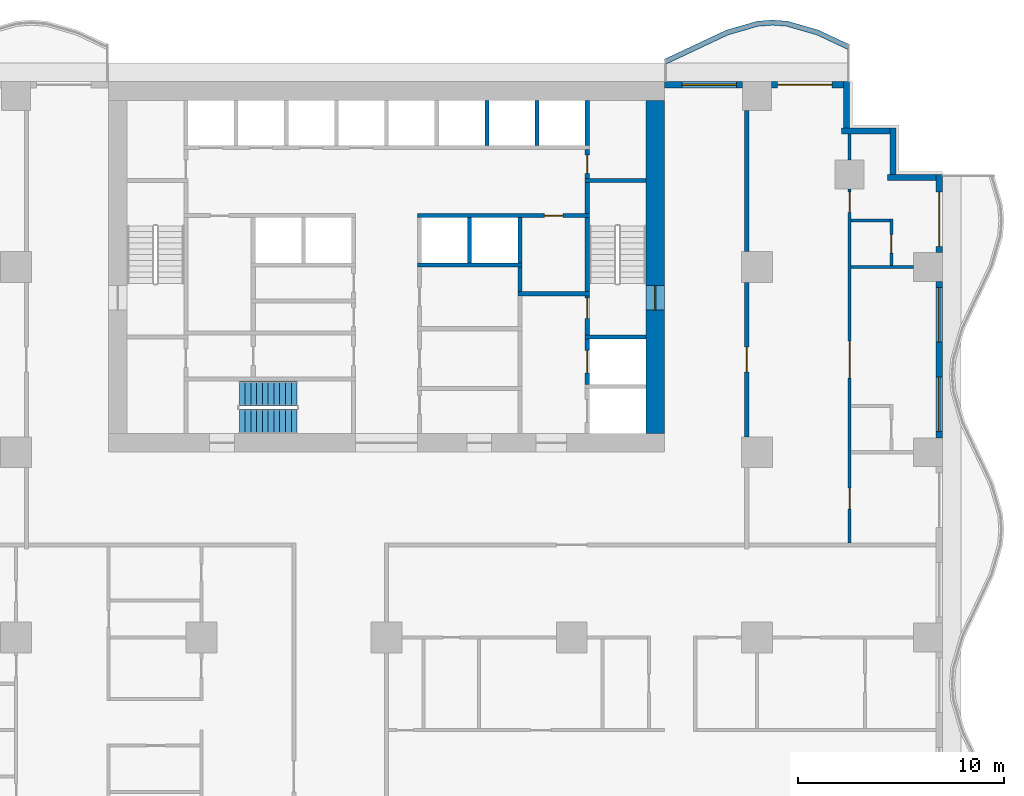
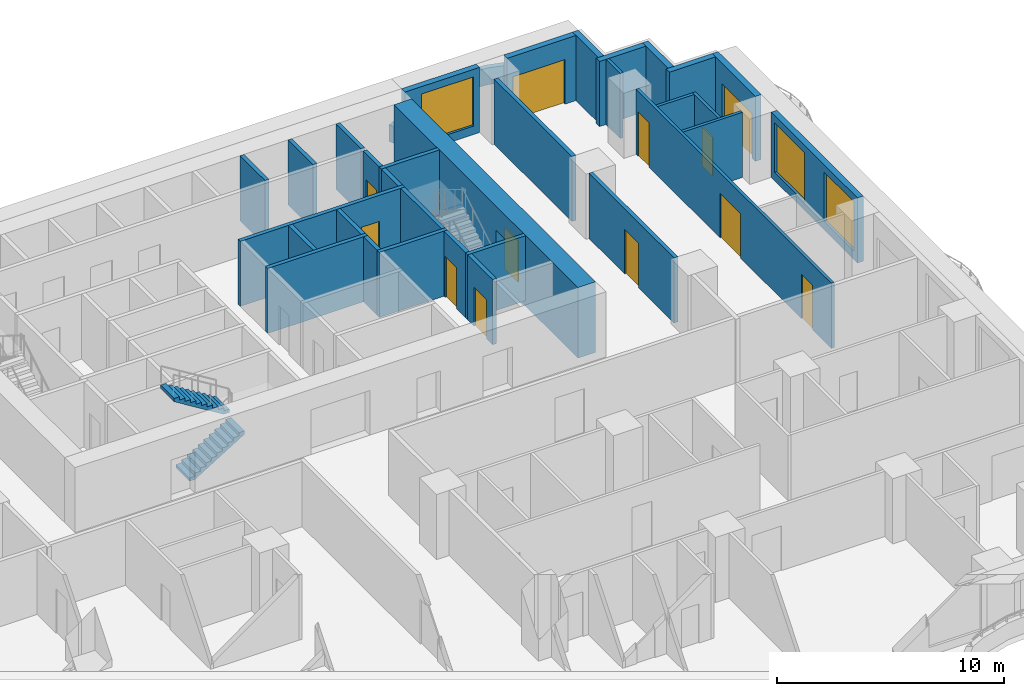
# One storey, part 6 of 14: 33 walls, 12 doors, 3 windows, 2 stair flights, 15 openings, 1 element without a shape of its own.
"""IFC4 building model written with IfcOpenShell, lengths in metres."""

from ifc_helpers import new_model, si_unit, direction, frame, frame_2d, origin, place, context, subcontext, project, spatial, polyline, rectangle, outline, extrude, material, layer, layer_set, type_object, element, fill, aggregate, save


model = new_model("IFC4")

# Units and contexts
model_context = context("Model", 3, precision=1e-05, world=origin(), true_north=direction((0.0, 1.0)))
body_context = subcontext(model_context, "Body", "Model", "MODEL_VIEW")
ifc_project = project(units=[si_unit("LENGTHUNIT", "METRE"), si_unit("AREAUNIT", "SQUARE_METRE"), si_unit("VOLUMEUNIT", "CUBIC_METRE"), si_unit("PLANEANGLEUNIT", "RADIAN"), si_unit("MASSUNIT", "GRAM", prefix="KILO")], contexts=[model_context])

# Site, building, storey
site_placement = place(None, origin())
site = spatial("IfcSite", under=ifc_project, at=site_placement, CompositionType="ELEMENT")
building_placement = place(site_placement, origin())
building = spatial("IfcBuilding", under=site, at=building_placement, Name="Orbiselva Terraces", CompositionType="ELEMENT")
storey_placement = place(building_placement, frame((0.0, 0.0, 45.4)))
storey = spatial("IfcBuildingStorey", under=building, at=storey_placement, Name="L11", CompositionType="ELEMENT", Elevation=45.4)

# Wall, opening, door
ifc_material_1 = material(Name="Concrete C80/95", Category="concrete")
ifc_layer_1 = layer(ifc_material_1, 0.9)
ifc_layer_set_1 = layer_set([ifc_layer_1], Name="Concrete C80/95")
wall_type_1 = type_object("IfcWallType", Name="CORE WALL 900", PredefinedType="SHEAR", material=ifc_layer_set_1)
wall_1_placement = place(storey_placement, frame((13.05, 5.4, -0.3), z_axis=(0.0, 0.0, 1.0), x_axis=(0.0, 1.0, 0.0)))
wall_1 = element("IfcWall", 1, at=wall_1_placement, inside=storey, type_object=wall_type_1, Name="Core wall L11 east", PredefinedType="SHEAR", context=body_context, shape_type="SweptSolid", body=[
    extrude(rectangle(XDim=16.2, YDim=0.9, at=frame_2d((8.1, 0.0))), origin(), (0.0, 0.0, 1.0), 3.8),
])
opening_1_placement = place(wall_1_placement, frame((6.0, 0.0, 0.3)))
opening_1 = element("IfcOpeningElement", 2, at=opening_1_placement, cuts=wall_1, Name="Opening DS1200", PredefinedType="OPENING", context=body_context, shape_type="SweptSolid", body=[
    extrude(rectangle(XDim=1.2, YDim=2.2, at=frame_2d((0.6, 1.1))), frame((0.0, 0.46, 0.0), z_axis=(0.0, -1.0, 0.0), x_axis=(1.0, 0.0, 0.0)), (0.0, 0.0, 1.0), 0.92),
])
ifc_material_2 = material(Name="Steel fire door", Category="steel")
door_type_1 = type_object("IfcDoorType", Name="STAIR DOOR 1200", OperationType="NOTDEFINED", PredefinedType="DOOR", material=ifc_material_2)
door_1_placement = place(opening_1_placement, frame((1.2, 0.0, 0.0), z_axis=(0.0, 0.0, 1.0), x_axis=(-1.0, 0.0, 0.0)))
door_1 = element("IfcDoor", 3, at=door_1_placement, inside=storey, type_object=door_type_1, Name="L11 EXIT STAIR S2 door", OperationType="SINGLE_SWING_LEFT", OverallHeight=2.2, OverallWidth=1.2, PredefinedType="DOOR", context=body_context, shape_type="SweptSolid", body=[
    extrude(rectangle(XDim=1.2, YDim=2.2, at=frame_2d((0.6, 1.1))), frame((0.0, 0.025, 0.0), z_axis=(0.0, -1.0, 0.0), x_axis=(1.0, 0.0, 0.0)), (0.0, 0.0, 1.0), 0.05),
])
fill(opening_1, door_1)

# Wall
ifc_material_3 = material(Name="Masonry blockwork", Category="masonry")
ifc_layer_2 = layer(ifc_material_3, 0.2)
ifc_layer_set_2 = layer_set([ifc_layer_2], Name="Masonry blockwork")
wall_type_2 = type_object("IfcWallType", Name="CORE-WALL-PARTITION-200", PredefinedType="PARTITIONING", material=ifc_layer_set_2)
wall_2_placement = place(storey_placement, frame((6.475, 12.3, 0.0), z_axis=(0.0, 0.0, 1.0), x_axis=(0.0, 1.0, 0.0)))
element("IfcWall", 4, at=wall_2_placement, inside=storey, type_object=wall_type_2, Name="L11 core wall 44", PredefinedType="PARTITIONING", context=body_context, shape_type="SweptSolid", body=[
    extrude(rectangle(XDim=1.2, YDim=0.2, at=frame_2d((0.6, 0.0))), origin(), (0.0, 0.0, 1.0), 3.5),
])

# Wall, opening, door
wall_3_placement = place(storey_placement, frame((9.75, 19.2, 0.0), z_axis=(0.0, 0.0, 1.0), x_axis=(0.0, -1.0, 0.0)))
wall_3 = element("IfcWall", 5, at=wall_3_placement, inside=storey, type_object=wall_type_2, Name="L11 core wall 55", PredefinedType="PARTITIONING", context=body_context, shape_type="SweptSolid", body=[
    extrude(rectangle(XDim=1.4, YDim=0.2, at=frame_2d((0.7, 0.0))), origin(), (0.0, 0.0, 1.0), 3.5),
])
opening_2_placement = place(wall_3_placement, frame((0.25, 0.0, 0.0)))
opening_2 = element("IfcOpeningElement", 6, at=opening_2_placement, cuts=wall_3, Name="Opening DR900", PredefinedType="OPENING", context=body_context, shape_type="SweptSolid", body=[
    extrude(rectangle(XDim=0.9, YDim=2.1, at=frame_2d((0.45, 1.05))), frame((0.0, 0.11, 0.0), z_axis=(0.0, -1.0, 0.0), x_axis=(1.0, 0.0, 0.0)), (0.0, 0.0, 1.0), 0.22),
])
door_type_2 = type_object("IfcDoorType", Name="ROOM DOOR 900", OperationType="NOTDEFINED", PredefinedType="DOOR", material=ifc_material_2)
door_2_placement = place(opening_2_placement, origin())
door_2 = element("IfcDoor", 7, at=door_2_placement, inside=storey, type_object=door_type_2, Name="L11 ELECTRICAL RISER ROOM door", OperationType="SINGLE_SWING_RIGHT", OverallHeight=2.1, OverallWidth=0.9, PredefinedType="DOOR", context=body_context, shape_type="SweptSolid", body=[
    extrude(rectangle(XDim=0.9, YDim=2.1, at=frame_2d((0.45, 1.05))), frame((0.0, 0.025, 0.0), z_axis=(0.0, -1.0, 0.0), x_axis=(1.0, 0.0, 0.0)), (0.0, 0.0, 1.0), 0.05),
])
fill(opening_2, door_2)

# Walls
ifc_material_4 = material(Name="Concrete C40/50", Category="concrete")
ifc_layer_3 = layer(ifc_material_4, 0.2)
ifc_layer_set_3 = layer_set([ifc_layer_3], Name="Concrete C40/50")
wall_type_3 = type_object("IfcWallType", Name="CORE-WALL-SHAFT-200", PredefinedType="PARTITIONING", material=ifc_layer_set_3)
for number, where, z_axis, x_axis, name in (
    (8, (4.0375, 13.7, 0.0), (0.0, 0.0, 1.0), (0.0, 1.0, 0.0), "L11 core wall 38"),
    (9, (4.875, 19.4, 0.0), (0.0, 0.0, 1.0), (0.0, 1.0, 0.0), "L11 core wall 39"),
    (10, (6.475, 13.7, 0.0), (0.0, 0.0, 1.0), (0.0, 1.0, 0.0), "L11 core wall 45"),
    (11, (7.3125, 19.4, 0.0), (0.0, 0.0, 1.0), (0.0, 1.0, 0.0), "L11 core wall 46"),
    (12, (9.75, 19.4, 0.0), (0.0, 0.0, 1.0), (0.0, 1.0, 0.0), "L11 core wall 56"),
):
    element("IfcWall", number, at=place(storey_placement, frame(where, z_axis=z_axis, x_axis=x_axis)), inside=storey, type_object=wall_type_3, Name=name, PredefinedType="PARTITIONING", context=body_context, shape_type="SweptSolid", body=[
        extrude(rectangle(XDim=2.2, YDim=0.2, at=frame_2d((1.1, 0.0))), origin(), (0.0, 0.0, 1.0), 3.5),
    ])
ifc_material_5 = material(Name="Concrete C60/75", Category="concrete")
ifc_layer_4 = layer(ifc_material_5, 0.2)
ifc_layer_set_4 = layer_set([ifc_layer_4], Name="Concrete C60/75")
wall_type_4 = type_object("IfcWallType", Name="CORE-WALL-SHEAR-200", PredefinedType="SHEAR", material=ifc_layer_set_4)
wall_4_placement = place(storey_placement, frame((1.5, 13.6, 0.0), z_axis=(0.0, 0.0, 1.0), x_axis=(1.0, 0.0, 0.0)))
element("IfcWall", 13, at=wall_4_placement, inside=storey, type_object=wall_type_4, Name="L11 core wall 34", PredefinedType="SHEAR", context=body_context, shape_type="SweptSolid", body=[
    extrude(rectangle(XDim=5.075, YDim=0.2, at=frame_2d((2.5375, 0.0))), origin(), (0.0, 0.0, 1.0), 3.5),
])

# Wall, opening, door
wall_5_placement = place(storey_placement, frame((9.85, 16.0, 0.0), z_axis=(0.0, 0.0, 1.0), x_axis=(-1.0, 0.0, 0.0)))
wall_5 = element("IfcWall", 14, at=wall_5_placement, inside=storey, type_object=wall_type_4, Name="L11 core wall 36", PredefinedType="SHEAR", context=body_context, shape_type="SweptSolid", body=[
    extrude(rectangle(XDim=8.35, YDim=0.2, at=frame_2d((4.175, 0.0))), origin(), (0.0, 0.0, 1.0), 3.5),
])
opening_3_placement = place(wall_5_placement, frame((1.2875, 0.0, 0.0)))
opening_3 = element("IfcOpeningElement", 15, at=opening_3_placement, cuts=wall_5, Name="Opening DR900", PredefinedType="OPENING", context=body_context, shape_type="SweptSolid", body=[
    extrude(rectangle(XDim=0.9, YDim=2.1, at=frame_2d((0.45, 1.05))), frame((0.0, 0.11, 0.0), z_axis=(0.0, -1.0, 0.0), x_axis=(1.0, 0.0, 0.0)), (0.0, 0.0, 1.0), 0.22),
])
door_3_placement = place(opening_3_placement, origin())
door_3 = element("IfcDoor", 16, at=door_3_placement, inside=storey, type_object=door_type_2, Name="L11 PIPE RISER ROOM door", OperationType="SINGLE_SWING_LEFT", OverallHeight=2.1, OverallWidth=0.9, PredefinedType="DOOR", context=body_context, shape_type="SweptSolid", body=[
    extrude(rectangle(XDim=0.9, YDim=2.1, at=frame_2d((0.45, 1.05))), frame((0.0, 0.025, 0.0), z_axis=(0.0, -1.0, 0.0), x_axis=(1.0, 0.0, 0.0)), (0.0, 0.0, 1.0), 0.05),
])
fill(opening_3, door_3)

# Wall
wall_6_placement = place(storey_placement, frame((6.375, 12.2, 0.0), z_axis=(0.0, 0.0, 1.0), x_axis=(1.0, 0.0, 0.0)))
element("IfcWall", 17, at=wall_6_placement, inside=storey, type_object=wall_type_4, Name="L11 core wall 43", PredefinedType="SHEAR", context=body_context, shape_type="SweptSolid", body=[
    extrude(rectangle(XDim=3.475, YDim=0.2, at=frame_2d((1.7375, 0.0))), origin(), (0.0, 0.0, 1.0), 3.5),
])

# Wall, opening, door
wall_7_placement = place(storey_placement, frame((9.75, 7.8, 0.0), z_axis=(0.0, 0.0, 1.0), x_axis=(0.0, 1.0, 0.0)))
wall_7 = element("IfcWall", 18, at=wall_7_placement, inside=storey, type_object=wall_type_4, Name="L11 core wall 49", PredefinedType="SHEAR", context=body_context, shape_type="SweptSolid", body=[
    extrude(rectangle(XDim=2.2, YDim=0.2, at=frame_2d((1.1, 0.0))), origin(), (0.0, 0.0, 1.0), 3.5),
])
opening_4_placement = place(wall_7_placement, frame((0.55, 0.0, 0.0)))
opening_4 = element("IfcOpeningElement", 19, at=opening_4_placement, cuts=wall_7, Name="Opening LD-FF2", PredefinedType="OPENING", context=body_context, shape_type="SweptSolid", body=[
    extrude(rectangle(XDim=1.1, YDim=2.1, at=frame_2d((0.55, 1.05))), frame((0.0, 0.11, 0.0), z_axis=(0.0, -1.0, 0.0), x_axis=(1.0, 0.0, 0.0)), (0.0, 0.0, 1.0), 0.22),
])
ifc_material_6 = material(Name="Stainless steel landing door", Category="steel")
door_type_3 = type_object("IfcDoorType", Name="LANDING DOOR 1100", OperationType="SLIDING_TO_LEFT", PredefinedType="DOOR", material=ifc_material_6)
door_4_placement = place(opening_4_placement, origin())
door_4 = element("IfcDoor", 20, at=door_4_placement, inside=storey, type_object=door_type_3, Name="L11 landing door FF2", OperationType="SLIDING_TO_RIGHT", OverallHeight=2.1, OverallWidth=1.1, PredefinedType="DOOR", context=body_context, shape_type="SweptSolid", body=[
    extrude(rectangle(XDim=1.1, YDim=2.1, at=frame_2d((0.55, 1.05))), frame((0.0, 0.025, 0.0), z_axis=(0.0, -1.0, 0.0), x_axis=(1.0, 0.0, 0.0)), (0.0, 0.0, 1.0), 0.05),
])
fill(opening_4, door_4)

# Wall
wall_8_placement = place(storey_placement, frame((9.65, 10.1, 0.0), z_axis=(0.0, 0.0, 1.0), x_axis=(1.0, 0.0, 0.0)))
element("IfcWall", 21, at=wall_8_placement, inside=storey, type_object=wall_type_4, Name="L11 core wall 50", PredefinedType="SHEAR", context=body_context, shape_type="SweptSolid", body=[
    extrude(rectangle(XDim=2.95, YDim=0.2, at=frame_2d((1.475, 0.0))), origin(), (0.0, 0.0, 1.0), 3.5),
])

# Wall, opening, door
wall_9_placement = place(storey_placement, frame((9.75, 12.1, 0.0), z_axis=(0.0, 0.0, 1.0), x_axis=(0.0, -1.0, 0.0)))
wall_9 = element("IfcWall", 22, at=wall_9_placement, inside=storey, type_object=wall_type_4, Name="L11 core wall 51", PredefinedType="SHEAR", context=body_context, shape_type="SweptSolid", body=[
    extrude(rectangle(XDim=1.9, YDim=0.2, at=frame_2d((0.95, 0.0))), origin(), (0.0, 0.0, 1.0), 3.5),
])
opening_5_placement = place(wall_9_placement, frame((0.1, 0.0, 0.0)))
opening_5 = element("IfcOpeningElement", 23, at=opening_5_placement, cuts=wall_9, Name="Opening DS1000", PredefinedType="OPENING", context=body_context, shape_type="SweptSolid", body=[
    extrude(rectangle(XDim=1.0, YDim=2.2, at=frame_2d((0.5, 1.1))), frame((0.0, 0.11, 0.0), z_axis=(0.0, -1.0, 0.0), x_axis=(1.0, 0.0, 0.0)), (0.0, 0.0, 1.0), 0.22),
])
door_type_4 = type_object("IfcDoorType", Name="STAIR DOOR 1000", OperationType="NOTDEFINED", PredefinedType="DOOR", material=ifc_material_2)
door_5_placement = place(opening_5_placement, origin())
door_5 = element("IfcDoor", 24, at=door_5_placement, inside=storey, type_object=door_type_4, Name="L11 FIRE-FIGHTING LOBBY TO EXIT STAIR S2 door", OperationType="SINGLE_SWING_LEFT", OverallHeight=2.2, OverallWidth=1.0, PredefinedType="DOOR", context=body_context, shape_type="SweptSolid", body=[
    extrude(rectangle(XDim=1.0, YDim=2.2, at=frame_2d((0.5, 1.1))), frame((0.0, 0.025, 0.0), z_axis=(0.0, -1.0, 0.0), x_axis=(1.0, 0.0, 0.0)), (0.0, 0.0, 1.0), 0.05),
])
fill(opening_5, door_5)

# Walls
wall_10_placement = place(storey_placement, frame((9.75, 12.3, 0.0), z_axis=(0.0, 0.0, 1.0), x_axis=(0.0, 1.0, 0.0)))
element("IfcWall", 25, at=wall_10_placement, inside=storey, type_object=wall_type_4, Name="L11 core wall 52", PredefinedType="SHEAR", context=body_context, shape_type="SweptSolid", body=[
    extrude(rectangle(XDim=3.6, YDim=0.2, at=frame_2d((1.8, 0.0))), origin(), (0.0, 0.0, 1.0), 3.5),
])
wall_11_placement = place(storey_placement, frame((9.75, 16.1, 0.0), z_axis=(0.0, 0.0, 1.0), x_axis=(0.0, 1.0, 0.0)))
element("IfcWall", 26, at=wall_11_placement, inside=storey, type_object=wall_type_4, Name="L11 core wall 53", PredefinedType="SHEAR", context=body_context, shape_type="SweptSolid", body=[
    extrude(rectangle(XDim=1.5, YDim=0.2, at=frame_2d((0.75, 0.0))), origin(), (0.0, 0.0, 1.0), 3.5),
])
wall_12_placement = place(storey_placement, frame((9.65, 17.7, 0.0), z_axis=(0.0, 0.0, 1.0), x_axis=(1.0, 0.0, 0.0)))
element("IfcWall", 27, at=wall_12_placement, inside=storey, type_object=wall_type_4, Name="L11 core wall 54", PredefinedType="SHEAR", context=body_context, shape_type="SweptSolid", body=[
    extrude(rectangle(XDim=2.95, YDim=0.2, at=frame_2d((1.475, 0.0))), origin(), (0.0, 0.0, 1.0), 3.5),
])
ifc_layer_5 = layer(ifc_material_4, 0.25)
ifc_layer_set_5 = layer_set([ifc_layer_5], Name="Concrete C40/50")
wall_type_5 = type_object("IfcWallType", Name="ENV-PLANTER-250x900", PredefinedType="USERDEFINED", material=ifc_layer_set_5)
wall_13_placement = place(storey_placement, origin())
element("IfcWall", 28, at=wall_13_placement, inside=storey, type_object=wall_type_5, Name="Balcony planter L11 NE", ObjectType="PLANTER", PredefinedType="USERDEFINED", context=body_context, shape_type="SweptSolid", body=[
    extrude(outline(polyline([(22.5, 24.3), (21.0, 25.005342), (19.5, 25.441268), (18.75, 25.5), (18.0, 25.441268), (16.5, 25.005342), (15.0, 24.3), (13.5, 23.594658), (13.606383, 23.368422), (15.106383, 24.073764), (16.588618, 24.770753), (18.045114, 25.194035), (18.75, 25.249235), (19.454886, 25.194035), (20.911382, 24.770753), (22.393617, 24.073764), (22.5, 24.3)])), origin(), (0.0, 0.0, 1.0), 0.9),
])

# Wall, openings, windows
ifc_material_7 = material(Name="Terracotta cladding on masonry backing", Category="masonry")
ifc_layer_6 = layer(ifc_material_7, 0.3)
ifc_layer_set_6 = layer_set([ifc_layer_6], Name="Terracotta cladding on masonry backing")
wall_type_6 = type_object("IfcWallType", Name="ENV-WALL-TERRACOTTA-300", PredefinedType="SOLIDWALL", material=ifc_layer_set_6)
wall_14_placement = place(storey_placement, frame((26.85, 12.8, 0.0), z_axis=(0.0, 0.0, 1.0), x_axis=(0.0, -1.0, 0.0)))
wall_14 = element("IfcWall", 29, at=wall_14_placement, inside=storey, type_object=wall_type_6, Name="Facade wall L11 E", PredefinedType="SOLIDWALL", context=body_context, shape_type="SweptSolid", body=[
    extrude(rectangle(XDim=7.6, YDim=0.3, at=frame_2d((3.8, 0.0))), origin(), (0.0, 0.0, 1.0), 3.5),
])
opening_6_placement = place(wall_14_placement, frame((4.65, 0.0, 0.45)))
opening_6 = element("IfcOpeningElement", 30, at=opening_6_placement, cuts=wall_14, Name="Opening WN3", PredefinedType="OPENING", context=body_context, shape_type="SweptSolid", body=[
    extrude(rectangle(XDim=2.65, YDim=2.65, at=frame_2d((1.325, 1.325))), frame((0.0, 0.16, 0.0), z_axis=(0.0, -1.0, 0.0), x_axis=(1.0, 0.0, 0.0)), (0.0, 0.0, 1.0), 0.32),
])
opening_7_placement = place(wall_14_placement, frame((0.3, 0.0, 0.45)))
opening_7 = element("IfcOpeningElement", 31, at=opening_7_placement, cuts=wall_14, Name="Opening WN3", PredefinedType="OPENING", context=body_context, shape_type="SweptSolid", body=[
    extrude(rectangle(XDim=2.65, YDim=2.65, at=frame_2d((1.325, 1.325))), frame((0.0, 0.16, 0.0), z_axis=(0.0, -1.0, 0.0), x_axis=(1.0, 0.0, 0.0)), (0.0, 0.0, 1.0), 0.32),
])
ifc_material_8 = material(Name="Clear low-e glazing in aluminium frame", Category="aluminium")
window_type = type_object("IfcWindowType", Name="WINDOW 2650 X 2650 S450", PartitioningType="TRIPLE_PANEL_VERTICAL", PredefinedType="WINDOW", material=ifc_material_8)
window_1_placement = place(opening_6_placement, origin())
window_1 = element("IfcWindow", 32, at=window_1_placement, inside=storey, type_object=window_type, Name="Window L11 E", OverallHeight=2.65, OverallWidth=2.65, PartitioningType="SINGLE_PANEL", PredefinedType="WINDOW", context=body_context, shape_type="SweptSolid", body=[
    extrude(rectangle(XDim=2.65, YDim=2.65, at=frame_2d((1.325, 1.325))), frame((0.0, 0.03, 0.0), z_axis=(0.0, -1.0, 0.0), x_axis=(1.0, 0.0, 0.0)), (0.0, 0.0, 1.0), 0.06),
])
fill(opening_6, window_1)
window_2_placement = place(opening_7_placement, origin())
window_2 = element("IfcWindow", 33, at=window_2_placement, inside=storey, type_object=window_type, Name="Window L11 E", OverallHeight=2.65, OverallWidth=2.65, PartitioningType="SINGLE_PANEL", PredefinedType="WINDOW", context=body_context, shape_type="SweptSolid", body=[
    extrude(rectangle(XDim=2.65, YDim=2.65, at=frame_2d((1.325, 1.325))), frame((0.0, 0.03, 0.0), z_axis=(0.0, -1.0, 0.0), x_axis=(1.0, 0.0, 0.0)), (0.0, 0.0, 1.0), 0.06),
])
fill(opening_7, window_2)

# Wall, opening, door
wall_15_placement = place(storey_placement, frame((26.85, 18.0, 0.0), z_axis=(0.0, 0.0, 1.0), x_axis=(0.0, -1.0, 0.0)))
wall_15 = element("IfcWall", 34, at=wall_15_placement, inside=storey, type_object=wall_type_6, Name="Facade wall L11 E", PredefinedType="SOLIDWALL", context=body_context, shape_type="SweptSolid", body=[
    extrude(rectangle(XDim=3.8, YDim=0.3, at=frame_2d((1.9, 0.0))), origin(), (0.0, 0.0, 1.0), 3.5),
])
opening_8_placement = place(wall_15_placement, frame((0.85, 0.0, 0.0)))
opening_8 = element("IfcOpeningElement", 35, at=opening_8_placement, cuts=wall_15, Name="Opening Z1-C-E19", PredefinedType="OPENING", context=body_context, shape_type="SweptSolid", body=[
    extrude(rectangle(XDim=2.65, YDim=2.4, at=frame_2d((1.325, 1.2))), frame((0.0, 0.16, 0.0), z_axis=(0.0, -1.0, 0.0), x_axis=(1.0, 0.0, 0.0)), (0.0, 0.0, 1.0), 0.32),
])
door_type_5 = type_object("IfcDoorType", Name="BALCONY DOOR 2650 X 2400", OperationType="DOUBLE_DOOR_SLIDING", PredefinedType="DOOR", material=ifc_material_8)
door_6_placement = place(opening_8_placement, origin())
door_6 = element("IfcDoor", 36, at=door_6_placement, inside=storey, type_object=door_type_5, Name="Z1-C-E19", OperationType="SINGLE_SWING_LEFT", OverallHeight=2.4, OverallWidth=2.65, PredefinedType="DOOR", context=body_context, shape_type="SweptSolid", body=[
    extrude(rectangle(XDim=2.65, YDim=2.4, at=frame_2d((1.325, 1.2))), frame((0.0, 0.025, 0.0), z_axis=(0.0, -1.0, 0.0), x_axis=(1.0, 0.0, 0.0)), (0.0, 0.0, 1.0), 0.05),
])
fill(opening_8, door_6)

# Walls
wall_16_placement = place(storey_placement, frame((24.35, 17.85, 0.0), z_axis=(0.0, 0.0, 1.0), x_axis=(1.0, 0.0, 0.0)))
element("IfcWall", 37, at=wall_16_placement, inside=storey, type_object=wall_type_6, Name="Facade wall L11 STEP", PredefinedType="SOLIDWALL", context=body_context, shape_type="SweptSolid", body=[
    extrude(rectangle(XDim=2.35, YDim=0.3, at=frame_2d((1.175, 0.0))), origin(), (0.0, 0.0, 1.0), 3.5),
])
wall_17_placement = place(storey_placement, frame((24.6, 20.25, 0.0), z_axis=(0.0, 0.0, 1.0), x_axis=(0.0, -1.0, 0.0)))
element("IfcWall", 38, at=wall_17_placement, inside=storey, type_object=wall_type_6, Name="Facade wall L11 STEP", PredefinedType="SOLIDWALL", context=body_context, shape_type="SweptSolid", body=[
    extrude(rectangle(XDim=2.25, YDim=0.3, at=frame_2d((1.125, 0.0))), origin(), (0.0, 0.0, 1.0), 3.5),
])
wall_18_placement = place(storey_placement, frame((22.1, 20.1, 0.0), z_axis=(0.0, 0.0, 1.0), x_axis=(1.0, 0.0, 0.0)))
element("IfcWall", 39, at=wall_18_placement, inside=storey, type_object=wall_type_6, Name="Facade wall L11 STEP", PredefinedType="SOLIDWALL", context=body_context, shape_type="SweptSolid", body=[
    extrude(rectangle(XDim=2.35, YDim=0.3, at=frame_2d((1.175, 0.0))), origin(), (0.0, 0.0, 1.0), 3.5),
])
wall_19_placement = place(storey_placement, frame((22.35, 22.5, 0.0), z_axis=(0.0, 0.0, 1.0), x_axis=(0.0, -1.0, 0.0)))
element("IfcWall", 40, at=wall_19_placement, inside=storey, type_object=wall_type_6, Name="Facade wall L11 STEP", PredefinedType="SOLIDWALL", context=body_context, shape_type="SweptSolid", body=[
    extrude(rectangle(XDim=2.25, YDim=0.3, at=frame_2d((1.125, 0.0))), origin(), (0.0, 0.0, 1.0), 3.5),
])

# Wall, opening, door
wall_20_placement = place(storey_placement, frame((18.7, 22.35, 0.0), z_axis=(0.0, 0.0, 1.0), x_axis=(1.0, 0.0, 0.0)))
wall_20 = element("IfcWall", 41, at=wall_20_placement, inside=storey, type_object=wall_type_6, Name="Facade wall L11 NE", PredefinedType="SOLIDWALL", context=body_context, shape_type="SweptSolid", body=[
    extrude(rectangle(XDim=3.5, YDim=0.3, at=frame_2d((1.75, 0.0))), origin(), (0.0, 0.0, 1.0), 3.5),
])
opening_9_placement = place(wall_20_placement, frame((0.3, 0.0, 0.0)))
opening_9 = element("IfcOpeningElement", 42, at=opening_9_placement, cuts=wall_20, Name="Opening Z1-C-E27", PredefinedType="OPENING", context=body_context, shape_type="SweptSolid", body=[
    extrude(rectangle(XDim=2.65, YDim=2.4, at=frame_2d((1.325, 1.2))), frame((0.0, 0.16, 0.0), z_axis=(0.0, -1.0, 0.0), x_axis=(1.0, 0.0, 0.0)), (0.0, 0.0, 1.0), 0.32),
])
door_7_placement = place(opening_9_placement, origin())
door_7 = element("IfcDoor", 43, at=door_7_placement, inside=storey, type_object=door_type_5, Name="Z1-C-E27", OperationType="SINGLE_SWING_LEFT", OverallHeight=2.4, OverallWidth=2.65, PredefinedType="DOOR", context=body_context, shape_type="SweptSolid", body=[
    extrude(rectangle(XDim=2.65, YDim=2.4, at=frame_2d((1.325, 1.2))), frame((0.0, 0.025, 0.0), z_axis=(0.0, -1.0, 0.0), x_axis=(1.0, 0.0, 0.0)), (0.0, 0.0, 1.0), 0.05),
])
fill(opening_9, door_7)

# Wall, opening, window
wall_21_placement = place(storey_placement, frame((13.5, 22.35, 0.0), z_axis=(0.0, 0.0, 1.0), x_axis=(1.0, 0.0, 0.0)))
wall_21 = element("IfcWall", 44, at=wall_21_placement, inside=storey, type_object=wall_type_6, Name="Facade wall L11 NE", PredefinedType="SOLIDWALL", context=body_context, shape_type="SweptSolid", body=[
    extrude(rectangle(XDim=3.8, YDim=0.3, at=frame_2d((1.9, 0.0))), origin(), (0.0, 0.0, 1.0), 3.5),
])
opening_10_placement = place(wall_21_placement, frame((0.85, 0.0, 0.45)))
opening_10 = element("IfcOpeningElement", 45, at=opening_10_placement, cuts=wall_21, Name="Opening WN3", PredefinedType="OPENING", context=body_context, shape_type="SweptSolid", body=[
    extrude(rectangle(XDim=2.65, YDim=2.65, at=frame_2d((1.325, 1.325))), frame((0.0, 0.16, 0.0), z_axis=(0.0, -1.0, 0.0), x_axis=(1.0, 0.0, 0.0)), (0.0, 0.0, 1.0), 0.32),
])
window_3_placement = place(opening_10_placement, origin())
window_3 = element("IfcWindow", 46, at=window_3_placement, inside=storey, type_object=window_type, Name="Window L11 NE", OverallHeight=2.65, OverallWidth=2.65, PartitioningType="SINGLE_PANEL", PredefinedType="WINDOW", context=body_context, shape_type="SweptSolid", body=[
    extrude(rectangle(XDim=2.65, YDim=2.65, at=frame_2d((1.325, 1.325))), frame((0.0, 0.03, 0.0), z_axis=(0.0, -1.0, 0.0), x_axis=(1.0, 0.0, 0.0)), (0.0, 0.0, 1.0), 0.06),
])
fill(opening_10, window_3)

# Wall, opening, door
ifc_material_9 = material(Name="Plasterboard on steel stud partition", Category="steel")
ifc_layer_7 = layer(ifc_material_9, 0.2)
ifc_layer_set_7 = layer_set([ifc_layer_7], Name="Plasterboard on steel stud partition")
wall_type_7 = type_object("IfcWallType", Name="UNIT-ENTRANCE-WALL-200", PredefinedType="PARTITIONING", material=ifc_layer_set_7)
wall_22_placement = place(storey_placement, frame((17.5, 12.75, 0.0), z_axis=(0.0, 0.0, 1.0), x_axis=(0.0, -1.0, 0.0)))
wall_22 = element("IfcWall", 47, at=wall_22_placement, inside=storey, type_object=wall_type_7, Name="PARTITION L11-071", PredefinedType="PARTITIONING", context=body_context, shape_type="SweptSolid", body=[
    extrude(rectangle(XDim=7.5, YDim=0.2, at=frame_2d((3.75, 0.0))), origin(), (0.0, 0.0, 1.0), 3.5),
])
opening_11_placement = place(wall_22_placement, frame((3.15, 0.0, 0.0)))
opening_11 = element("IfcOpeningElement", 48, at=opening_11_placement, cuts=wall_22, Name="Opening Z1-C-07", PredefinedType="OPENING", context=body_context, shape_type="SweptSolid", body=[
    extrude(rectangle(XDim=1.2, YDim=2.4, at=frame_2d((0.6, 1.2))), frame((0.0, 0.11, 0.0), z_axis=(0.0, -1.0, 0.0), x_axis=(1.0, 0.0, 0.0)), (0.0, 0.0, 1.0), 0.22),
])
ifc_material_10 = material(Name="Painted timber door leaf", Category="wood")
door_type_6 = type_object("IfcDoorType", Name="ENTRANCE DOOR 1200", OperationType="NOTDEFINED", PredefinedType="DOOR", material=ifc_material_10)
door_8_placement = place(opening_11_placement, origin())
door_8 = element("IfcDoor", 49, at=door_8_placement, inside=storey, type_object=door_type_6, Name="Z1-C-07", OperationType="SINGLE_SWING_RIGHT", OverallHeight=2.4, OverallWidth=1.2, PredefinedType="DOOR", context=body_context, shape_type="SweptSolid", body=[
    extrude(rectangle(XDim=1.2, YDim=2.4, at=frame_2d((0.6, 1.2))), frame((0.0, 0.025, 0.0), z_axis=(0.0, -1.0, 0.0), x_axis=(1.0, 0.0, 0.0)), (0.0, 0.0, 1.0), 0.05),
])
fill(opening_11, door_8)

# Walls
wall_23_placement = place(storey_placement, frame((17.5, 14.25, 0.0), z_axis=(0.0, 0.0, 1.0), x_axis=(0.0, 1.0, 0.0)))
element("IfcWall", 50, at=wall_23_placement, inside=storey, type_object=wall_type_7, Name="PARTITION L11-072", PredefinedType="PARTITIONING", context=body_context, shape_type="SweptSolid", body=[
    extrude(rectangle(XDim=6.85, YDim=0.2, at=frame_2d((3.425, 0.0))), origin(), (0.0, 0.0, 1.0), 3.5),
])
ifc_layer_8 = layer(ifc_material_9, 0.15)
ifc_layer_set_8 = layer_set([ifc_layer_8], Name="Plasterboard on steel stud partition")
wall_type_8 = type_object("IfcWallType", Name="UNIT-PARTITION-150", PredefinedType="PARTITIONING", material=ifc_layer_set_8)
wall_24_placement = place(storey_placement, frame((22.575, 13.5, 0.0), z_axis=(0.0, 0.0, 1.0), x_axis=(1.0, 0.0, 0.0)))
element("IfcWall", 51, at=wall_24_placement, inside=storey, type_object=wall_type_8, Name="PARTITION L11-037", PredefinedType="PARTITIONING", context=body_context, shape_type="SweptSolid", body=[
    extrude(rectangle(XDim=3.025, YDim=0.15, at=frame_2d((1.5125, 0.0))), origin(), (0.0, 0.0, 1.0), 3.5),
])
wall_25_placement = place(storey_placement, frame((22.575, 15.75, 0.0), z_axis=(0.0, 0.0, 1.0), x_axis=(1.0, 0.0, 0.0)))
element("IfcWall", 52, at=wall_25_placement, inside=storey, type_object=wall_type_8, Name="PARTITION L11-039", PredefinedType="PARTITIONING", context=body_context, shape_type="SweptSolid", body=[
    extrude(rectangle(XDim=1.875, YDim=0.15, at=frame_2d((0.9375, 0.0))), origin(), (0.0, 0.0, 1.0), 3.5),
])

# Wall, openings, doors
wall_26_placement = place(storey_placement, frame((22.5, 17.3, 0.0), z_axis=(0.0, 0.0, 1.0), x_axis=(0.0, -1.0, 0.0)))
wall_26 = element("IfcWall", 53, at=wall_26_placement, inside=storey, type_object=wall_type_8, Name="PARTITION L11-076", PredefinedType="PARTITIONING", context=body_context, shape_type="SweptSolid", body=[
    extrude(rectangle(XDim=17.2, YDim=0.15, at=frame_2d((8.6, 0.0))), origin(), (0.0, 0.0, 1.0), 3.5),
])
opening_12_placement = place(wall_26_placement, frame((14.55, 0.0, 0.0)))
opening_12 = element("IfcOpeningElement", 54, at=opening_12_placement, cuts=wall_26, Name="Opening Z1-C-08", PredefinedType="OPENING", context=body_context, shape_type="SweptSolid", body=[
    extrude(rectangle(XDim=1.0, YDim=2.4, at=frame_2d((0.5, 1.2))), frame((0.0, 0.085, 0.0), z_axis=(0.0, -1.0, 0.0), x_axis=(1.0, 0.0, 0.0)), (0.0, 0.0, 1.0), 0.17),
])
opening_13_placement = place(wall_26_placement, frame((7.4, 0.0, 0.0)))
opening_13 = element("IfcOpeningElement", 55, at=opening_13_placement, cuts=wall_26, Name="Opening Z1-C-09", PredefinedType="OPENING", context=body_context, shape_type="SweptSolid", body=[
    extrude(rectangle(XDim=1.8, YDim=2.4, at=frame_2d((0.9, 1.2))), frame((0.0, 0.085, 0.0), z_axis=(0.0, -1.0, 0.0), x_axis=(1.0, 0.0, 0.0)), (0.0, 0.0, 1.0), 0.17),
])
opening_14_placement = place(wall_26_placement, frame((0.15, 0.0, 0.0)))
opening_14 = element("IfcOpeningElement", 56, at=opening_14_placement, cuts=wall_26, Name="Opening Z1-C-11", PredefinedType="OPENING", context=body_context, shape_type="SweptSolid", body=[
    extrude(rectangle(XDim=1.0, YDim=2.4, at=frame_2d((0.5, 1.2))), frame((0.0, 0.085, 0.0), z_axis=(0.0, -1.0, 0.0), x_axis=(1.0, 0.0, 0.0)), (0.0, 0.0, 1.0), 0.17),
])
door_type_7 = type_object("IfcDoorType", Name="DOUBLE DOOR 1800", OperationType="NOTDEFINED", PredefinedType="DOOR", material=ifc_material_10)
door_9_placement = place(opening_13_placement, origin())
door_9 = element("IfcDoor", 57, at=door_9_placement, inside=storey, type_object=door_type_7, Name="Z1-C-09", OperationType="DOUBLE_DOOR_SINGLE_SWING", OverallHeight=2.4, OverallWidth=1.8, PredefinedType="DOOR", context=body_context, shape_type="SweptSolid", body=[
    extrude(rectangle(XDim=1.8, YDim=2.4, at=frame_2d((0.9, 1.2))), frame((0.0, 0.025, 0.0), z_axis=(0.0, -1.0, 0.0), x_axis=(1.0, 0.0, 0.0)), (0.0, 0.0, 1.0), 0.05),
])
fill(opening_13, door_9)
door_type_8 = type_object("IfcDoorType", Name="ROOM DOOR 1000", OperationType="NOTDEFINED", PredefinedType="DOOR", material=ifc_material_10)
door_10_placement = place(opening_12_placement, origin())
door_10 = element("IfcDoor", 58, at=door_10_placement, inside=storey, type_object=door_type_8, Name="Z1-C-08", OperationType="SINGLE_SWING_RIGHT", OverallHeight=2.4, OverallWidth=1.0, PredefinedType="DOOR", context=body_context, shape_type="SweptSolid", body=[
    extrude(rectangle(XDim=1.0, YDim=2.4, at=frame_2d((0.5, 1.2))), frame((0.0, 0.025, 0.0), z_axis=(0.0, -1.0, 0.0), x_axis=(1.0, 0.0, 0.0)), (0.0, 0.0, 1.0), 0.05),
])
fill(opening_12, door_10)
door_11_placement = place(opening_14_placement, origin())
door_11 = element("IfcDoor", 59, at=door_11_placement, inside=storey, type_object=door_type_8, Name="Z1-C-11", OperationType="SINGLE_SWING_LEFT", OverallHeight=2.4, OverallWidth=1.0, PredefinedType="DOOR", context=body_context, shape_type="SweptSolid", body=[
    extrude(rectangle(XDim=1.0, YDim=2.4, at=frame_2d((0.5, 1.2))), frame((0.0, 0.025, 0.0), z_axis=(0.0, -1.0, 0.0), x_axis=(1.0, 0.0, 0.0)), (0.0, 0.0, 1.0), 0.05),
])
fill(opening_14, door_11)

# Wall
wall_27_placement = place(storey_placement, frame((22.5, 18.7, 0.0), z_axis=(0.0, 0.0, 1.0), x_axis=(0.0, 1.0, 0.0)))
element("IfcWall", 60, at=wall_27_placement, inside=storey, type_object=wall_type_8, Name="PARTITION L11-077", PredefinedType="PARTITIONING", context=body_context, shape_type="SweptSolid", body=[
    extrude(rectangle(XDim=1.25, YDim=0.15, at=frame_2d((0.625, 0.0))), origin(), (0.0, 0.0, 1.0), 3.5),
])

# Wall, opening, door
wall_28_placement = place(storey_placement, frame((24.525, 13.575, 0.0), z_axis=(0.0, 0.0, 1.0), x_axis=(0.0, 1.0, 0.0)))
wall_28 = element("IfcWall", 61, at=wall_28_placement, inside=storey, type_object=wall_type_8, Name="PARTITION L11-080", PredefinedType="PARTITIONING", context=body_context, shape_type="SweptSolid", body=[
    extrude(rectangle(XDim=2.25, YDim=0.15, at=frame_2d((1.125, 0.0))), origin(), (0.0, 0.0, 1.0), 3.5),
])
opening_15_placement = place(wall_28_placement, frame((0.6, 0.0, 0.0)))
opening_15 = element("IfcOpeningElement", 62, at=opening_15_placement, cuts=wall_28, Name="Opening Z1-C-12", PredefinedType="OPENING", context=body_context, shape_type="SweptSolid", body=[
    extrude(rectangle(XDim=0.9, YDim=2.1, at=frame_2d((0.45, 1.05))), frame((0.0, 0.085, 0.0), z_axis=(0.0, -1.0, 0.0), x_axis=(1.0, 0.0, 0.0)), (0.0, 0.0, 1.0), 0.17),
])
door_type_9 = type_object("IfcDoorType", Name="BATH DOOR 900", OperationType="NOTDEFINED", PredefinedType="DOOR", material=ifc_material_10)
door_12_placement = place(opening_15_placement, origin())
door_12 = element("IfcDoor", 63, at=door_12_placement, inside=storey, type_object=door_type_9, Name="Z1-C-12", OperationType="SINGLE_SWING_LEFT", OverallHeight=2.1, OverallWidth=0.9, PredefinedType="DOOR", context=body_context, shape_type="SweptSolid", body=[
    extrude(rectangle(XDim=0.9, YDim=2.1, at=frame_2d((0.45, 1.05))), frame((0.0, 0.025, 0.0), z_axis=(0.0, -1.0, 0.0), x_axis=(1.0, 0.0, 0.0)), (0.0, 0.0, 1.0), 0.05),
])
fill(opening_15, door_12)

# Stair, stair flights
stair_type = type_object("IfcStairType", Name="CORE-STAIR-1200", PredefinedType="HALF_TURN_STAIR", material=ifc_material_4)
stair_placement = place(storey_placement, origin())
stair = element("IfcStair", 64, at=stair_placement, inside=storey, type_object=stair_type, Name="L11 Exit Stair S3", PredefinedType="HALF_TURN_STAIR")
stair_flight_type = type_object("IfcStairFlightType", Name="CORE-STAIR-FLIGHT-1200", PredefinedType="STRAIGHT", material=ifc_material_4)
stair_flight_1_placement = place(storey_placement, frame((-7.15, 6.0, 0.0), z_axis=(0.0, 0.0, 1.0), x_axis=(1.0, 0.0, 0.0)))
stair_flight_1 = element("IfcStairFlight", 65, at=stair_flight_1_placement, type_object=stair_flight_type, Name="S3 flight 1", NumberOfRisers=11, NumberOfTreads=10, PredefinedType="STRAIGHT", RiserHeight=0.172727273, TreadLength=0.28, context=body_context, shape_type="SweptSolid", body=[
    extrude(outline(polyline([(0.0, 0.0), (0.0, 0.172727), (0.28, 0.172727), (0.28, 0.345455), (0.56, 0.345455), (0.56, 0.518182), (0.84, 0.518182), (0.84, 0.690909), (1.12, 0.690909), (1.12, 0.863636), (1.4, 0.863636), (1.4, 1.036364), (1.68, 1.036364), (1.68, 1.209091), (1.96, 1.209091), (1.96, 1.381818), (2.24, 1.381818), (2.24, 1.554545), (2.52, 1.554545), (2.52, 1.727273), (2.8, 1.727273), (2.8, 1.9), (2.8, 1.551028), (0.285702, 0.0), (0.0, 0.0)])), frame((0.0, 0.6, 0.0), z_axis=(0.0, -1.0, 0.0), x_axis=(1.0, 0.0, 0.0)), (0.0, 0.0, 1.0), 1.2),
])
stair_flight_2_placement = place(storey_placement, frame((-4.35, 7.35, 1.9), z_axis=(0.0, 0.0, 1.0), x_axis=(-1.0, 0.0, 0.0)))
stair_flight_2 = element("IfcStairFlight", 66, at=stair_flight_2_placement, type_object=stair_flight_type, Name="S3 flight 2", NumberOfRisers=11, NumberOfTreads=10, PredefinedType="STRAIGHT", RiserHeight=0.172727273, TreadLength=0.28, context=body_context, shape_type="SweptSolid", body=[
    extrude(outline(polyline([(0.0, 0.0), (0.0, 0.172727), (0.28, 0.172727), (0.28, 0.345455), (0.56, 0.345455), (0.56, 0.518182), (0.84, 0.518182), (0.84, 0.690909), (1.12, 0.690909), (1.12, 0.863636), (1.4, 0.863636), (1.4, 1.036364), (1.68, 1.036364), (1.68, 1.209091), (1.96, 1.209091), (1.96, 1.381818), (2.24, 1.381818), (2.24, 1.554545), (2.52, 1.554545), (2.52, 1.727273), (2.8, 1.727273), (2.8, 1.9), (2.8, 1.551028), (0.285702, 0.0), (0.0, 0.0)])), frame((0.0, 0.6, 0.0), z_axis=(0.0, -1.0, 0.0), x_axis=(1.0, 0.0, 0.0)), (0.0, 0.0, 1.0), 1.2),
])
aggregate(stair, [stair_flight_1, stair_flight_2])

save(model, "model.ifc")
